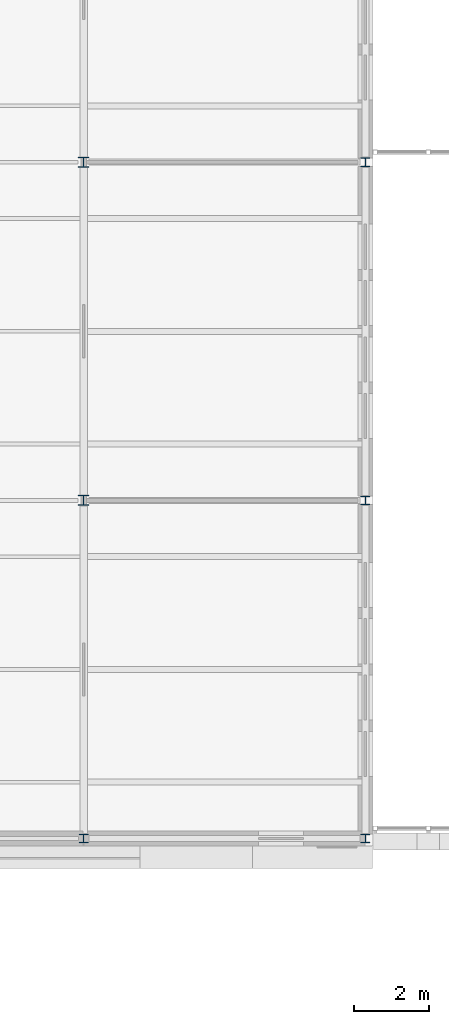
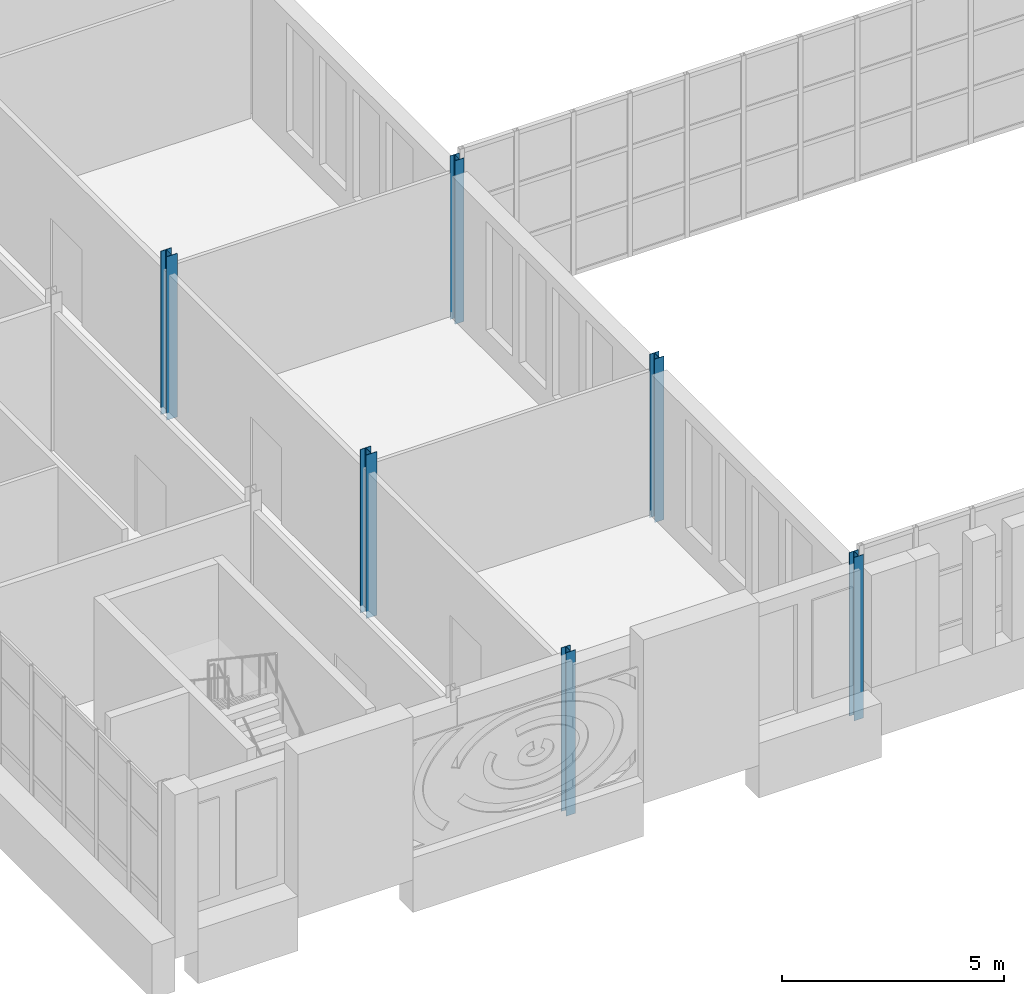
# One storey, part 5 of 131: 6 columns.
"""IFC4 building model written with IfcOpenShell, lengths in metres."""

from ifc_helpers import new_model, si_unit, direction, frame, origin, origin_2d, place, context, subcontext, project, spatial, i_section, extrude, material, material_profile, profile_set, type_object, element, save


model = new_model("IFC4")

# Units and contexts
model_context = context("Model", 3, precision=1e-05, world=origin(), true_north=direction((0.0, 1.0)))
body_context = subcontext(model_context, "Body", "Model", "MODEL_VIEW")
ifc_project = project(units=[si_unit("LENGTHUNIT", "METRE"), si_unit("AREAUNIT", "SQUARE_METRE"), si_unit("VOLUMEUNIT", "CUBIC_METRE"), si_unit("PLANEANGLEUNIT", "RADIAN"), si_unit("MASSUNIT", "GRAM", prefix="KILO")], contexts=[model_context])

# Site, building, storey
site_placement = place(None, origin())
site = spatial("IfcSite", under=ifc_project, at=site_placement, CompositionType="ELEMENT")
building_placement = place(site_placement, origin())
building = spatial("IfcBuilding", under=site, at=building_placement, Name="Golden Quay Civic Hall", CompositionType="ELEMENT")
storey_placement = place(building_placement, frame((0.0, 0.0, 9.89990234375)))
storey = spatial("IfcBuildingStorey", under=building, at=storey_placement, Name="L02", CompositionType="ELEMENT", Elevation=9.89990234375)

# Columns
ifc_material_1 = material(Name="Steel S355", Category="steel")
ifc_material_profile_1 = material_profile(ifc_material_1, i_section(OverallWidth=0.239990234375, OverallDepth=0.22998046875, WebThickness=0.007568359375, FlangeThickness=0.011962890625, FilletRadius=0.02099609375, at=origin_2d()), Name="HEA 240")
ifc_profile_set_1 = profile_set([ifc_material_profile_1], Name="Steel S355")
column_type_1 = type_object("IfcColumnType", Name="Steel column HEA 240", PredefinedType="COLUMN", material=ifc_profile_set_1)
for number, where, z_axis, x_axis, name in (
    (1, (64.5, 0.0, -0.199951171875), (0.0, 0.0, 1.0), (1.0, 0.0, 0.0), "Column 64.5/0 L02"),
    (2, (72.0, 0.0, -0.199951171875), (0.0, 0.0, 1.0), (1.0, 0.0, 0.0), "Column 72/0 L02"),
    (3, (72.0, 9.0, -0.199951171875), (0.0, 0.0, 1.0), (1.0, 0.0, 0.0), "Column 72/9 L02"),
    (4, (72.0, 18.0, -0.199951171875), (0.0, 0.0, 1.0), (1.0, 0.0, 0.0), "Column 72/18 L02"),
):
    element("IfcColumn", number, at=place(storey_placement, frame(where, z_axis=z_axis, x_axis=x_axis)), inside=storey, type_object=column_type_1, Name=name, PredefinedType="COLUMN", context=body_context, shape_type="SweptSolid", body=[
        extrude(i_section(OverallWidth=0.239990234375, OverallDepth=0.22998046875, WebThickness=0.007568359375, FlangeThickness=0.011962890625, FilletRadius=0.02099609375, at=origin_2d()), origin(), (0.0, 0.0, 1.0), 4.5),
    ])
ifc_material_2 = material(Name="Steel S355", Category="steel")
ifc_material_profile_2 = material_profile(ifc_material_2, i_section(OverallWidth=0.280029296875, OverallDepth=0.27001953125, WebThickness=0.008056640625, FlangeThickness=0.012939453125, FilletRadius=0.02392578125, at=origin_2d()), Name="HEA 280")
ifc_profile_set_2 = profile_set([ifc_material_profile_2], Name="Steel S355")
column_type_2 = type_object("IfcColumnType", Name="Steel column HEA 280", PredefinedType="COLUMN", material=ifc_profile_set_2)
for number, where, z_axis, x_axis, name in (
    (5, (64.5, 9.0, -0.199951171875), (0.0, 0.0, 1.0), (1.0, 0.0, 0.0), "Column 64.5/9 L02"),
    (6, (64.5, 18.0, -0.199951171875), (0.0, 0.0, 1.0), (1.0, 0.0, 0.0), "Column 64.5/18 L02"),
):
    element("IfcColumn", number, at=place(storey_placement, frame(where, z_axis=z_axis, x_axis=x_axis)), inside=storey, type_object=column_type_2, Name=name, PredefinedType="COLUMN", context=body_context, shape_type="SweptSolid", body=[
        extrude(i_section(OverallWidth=0.280029296875, OverallDepth=0.27001953125, WebThickness=0.008056640625, FlangeThickness=0.012939453125, FilletRadius=0.02392578125, at=origin_2d()), origin(), (0.0, 0.0, 1.0), 4.5),
    ])

save(model, "model.ifc")
